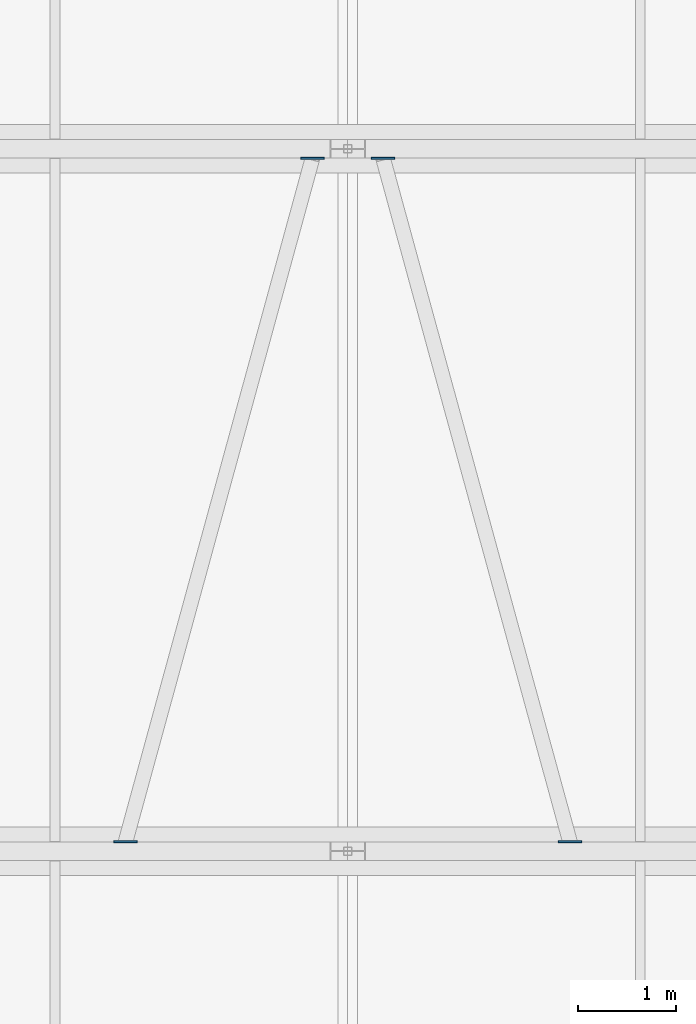
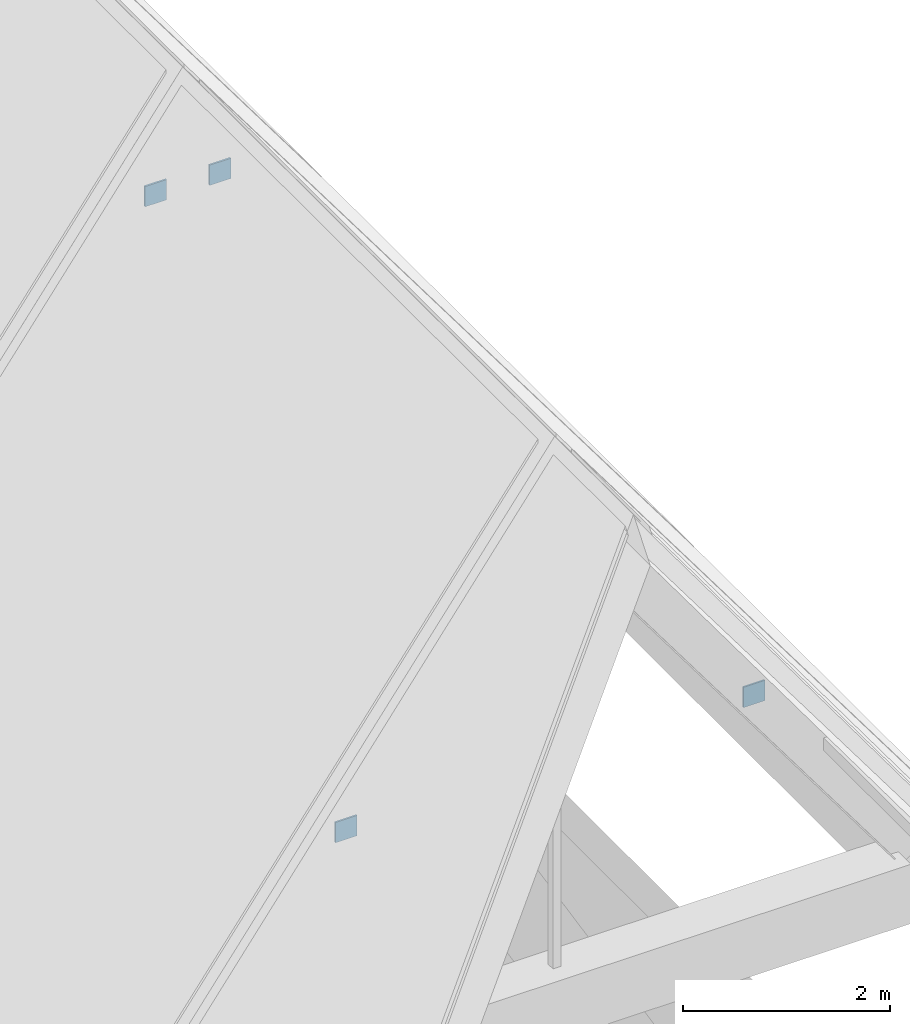
# One storey, part 20 of 29: 4 discrete accessories.
"""IFC4 building model written with IfcOpenShell, lengths in metres."""

from ifc_helpers import new_model, si_unit, derived_unit, direction, frame, origin, origin_2d, place, context, subcontext, project, spatial, rectangle, extrude, material, type_object, element, save


model = new_model("IFC4")

# Units and contexts
model_context = context("Model", 3, precision=1e-05, world=origin(), true_north=direction((0.0, 1.0)))
body_context = subcontext(model_context, "Body", "Model", "MODEL_VIEW")
ifc_project = project(units=[si_unit("LENGTHUNIT", "METRE"), si_unit("AREAUNIT", "SQUARE_METRE"), si_unit("VOLUMEUNIT", "CUBIC_METRE"), si_unit("PLANEANGLEUNIT", "RADIAN"), si_unit("MASSUNIT", "GRAM", prefix="KILO"), derived_unit("THERMALTRANSMITTANCEUNIT", [(si_unit("MASSUNIT", "GRAM", prefix="KILO"), 1), (si_unit("TIMEUNIT", "SECOND"), -3), (si_unit("THERMODYNAMICTEMPERATUREUNIT", "KELVIN"), -1)])], contexts=[model_context])

# Site, building, storey
site_placement = place(None, origin())
site = spatial("IfcSite", under=ifc_project, at=site_placement, CompositionType="ELEMENT")
building_placement = place(site_placement, origin())
building = spatial("IfcBuilding", under=site, at=building_placement, Name="Ochrekiln Boulevard Commons", CompositionType="ELEMENT")
storey_placement = place(building_placement, frame((0.0, 0.0, 37.27490234375)))
storey = spatial("IfcBuildingStorey", under=building, at=storey_placement, Name="L11", CompositionType="ELEMENT", Elevation=37.27490234375)

# Discrete accessories
ifc_material = material(Name="Steel A992 Grade 50", Category="steel")
discrete_accessory_type = type_object("IfcDiscreteAccessoryType", Name="ACC-GUS-PLATE", PredefinedType="BRACKET", material=ifc_material)
for number, where, z_axis, x_axis, name in (
    (1, (157.919921875, 7.294921875, 1.93505859375), (0.0, 0.0, 1.0), (1.0, 0.0, 0.0), "Block C Brace 2W End Gusset Plate A"),
    (2, (159.840087890625, 14.304931640625, 4.52685546875), (0.0, 0.0, 1.0), (1.0, 0.0, 0.0), "Block C Brace 2W End Gusset Plate B"),
    (3, (162.47998046875, 7.294921875, 1.93505859375), (0.0, 0.0, 1.0), (1.0, 0.0, 0.0), "Block C Brace 2E End Gusset Plate A"),
    (4, (160.56005859375, 14.304931640625, 4.52685546875), (0.0, 0.0, 1.0), (1.0, 0.0, 0.0), "Block C Brace 2E End Gusset Plate B"),
):
    element("IfcDiscreteAccessory", number, at=place(storey_placement, frame(where, z_axis=z_axis, x_axis=x_axis)), inside=storey, type_object=discrete_accessory_type, Name=name, PredefinedType="BRACKET", context=body_context, shape_type="SweptSolid", body=[
        extrude(rectangle(XDim=0.239990234375, YDim=0.02001953125, at=origin_2d()), origin(), (0.0, 0.0, 1.0), 0.239990234375),
    ])

save(model, "model.ifc")
